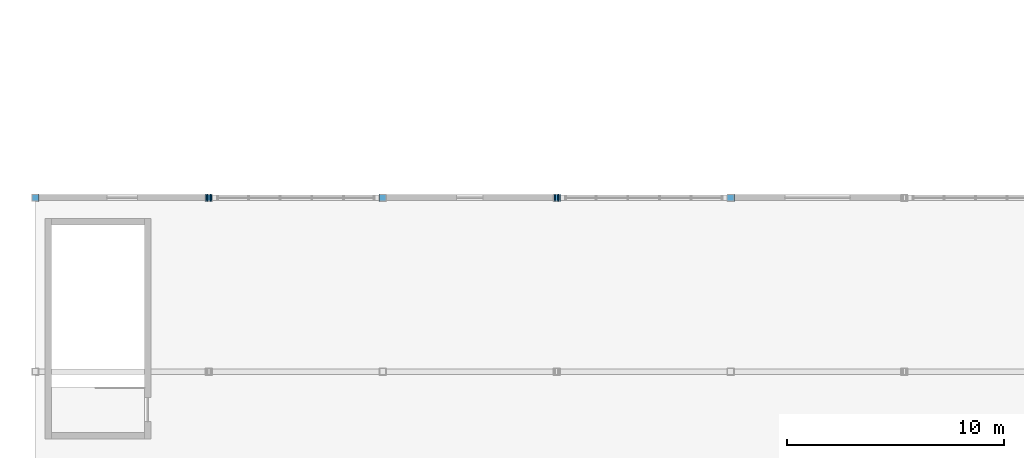
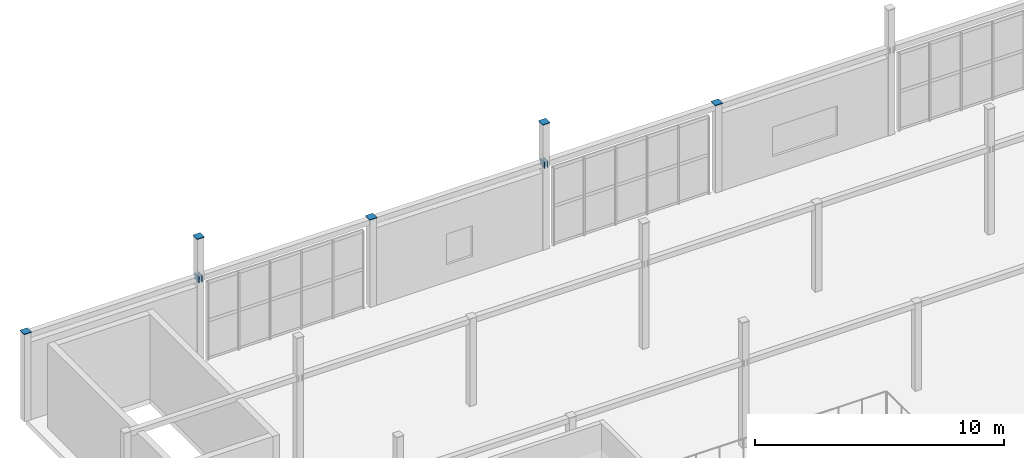
# One storey, part 67 of 83: 9 discrete accessories.
"""IFC4 building model written with IfcOpenShell, lengths in metres."""

from ifc_helpers import new_model, si_unit, direction, frame, origin, origin_2d, place, context, subcontext, project, spatial, rectangle, extrude, material, type_object, element, save


model = new_model("IFC4")

# Units and contexts
model_context = context("Model", 3, precision=1e-05, world=origin(), true_north=direction((0.0, 1.0)))
body_context = subcontext(model_context, "Body", "Model", "MODEL_VIEW")
ifc_project = project(units=[si_unit("LENGTHUNIT", "METRE"), si_unit("AREAUNIT", "SQUARE_METRE"), si_unit("VOLUMEUNIT", "CUBIC_METRE"), si_unit("PLANEANGLEUNIT", "RADIAN"), si_unit("MASSUNIT", "GRAM", prefix="KILO")], contexts=[model_context])

# Site, building, storey
site_placement = place(None, origin())
site = spatial("IfcSite", under=ifc_project, at=site_placement, CompositionType="ELEMENT")
building_placement = place(site_placement, origin())
building = spatial("IfcBuilding", under=site, at=building_placement, Name="Drelvath Fold Interchange", CompositionType="ELEMENT")
storey_placement = place(building_placement, frame((0.0, 0.0, 11.199951171875)))
storey = spatial("IfcBuildingStorey", under=building, at=storey_placement, Name="L02", CompositionType="ELEMENT", Elevation=11.199951171875)

# Discrete accessories
ifc_material = material(Name="Steel ASTM A572 Grade 50", Category="steel")
discrete_accessory_type = type_object("IfcDiscreteAccessoryType", Name="AC-CAP380", PredefinedType="BRACKET", material=ifc_material)
for number, where, z_axis, x_axis, name in (
    (1, (4.0, 99.0, 4.2900390625), (0.0, 0.0, 1.0), (1.0, 0.0, 0.0), "Welded hollow column end cap 39"),
    (2, (12.0, 99.0, 6.14013671875), (0.0, 0.0, 1.0), (1.0, 0.0, 0.0), "Welded hollow column end cap 44"),
    (3, (20.0, 99.0, 4.2900390625), (0.0, 0.0, 1.0), (1.0, 0.0, 0.0), "Welded hollow column end cap 49"),
    (4, (28.0, 99.0, 6.14013671875), (0.0, 0.0, 1.0), (1.0, 0.0, 0.0), "Welded hollow column end cap 54"),
    (5, (36.0, 99.0, 4.2900390625), (0.0, 0.0, 1.0), (1.0, 0.0, 0.0), "Welded hollow column end cap 59"),
):
    element("IfcDiscreteAccessory", number, at=place(storey_placement, frame(where, z_axis=z_axis, x_axis=x_axis)), inside=storey, type_object=discrete_accessory_type, Name=name, PredefinedType="BRACKET", context=body_context, shape_type="SweptSolid", body=[
        extrude(rectangle(XDim=0.344970703125, YDim=0.344970703125, at=origin_2d()), origin(), (0.0, 0.0, 1.0), 0.030029296875),
    ])
for number, where, z_axis, x_axis, name in (
    (6, (11.925048828125, 99.0, 3.9931640625), (0.0, 0.0, 1.0), (1.0, 0.0, 0.0), "Welded hollow member end cap 301"),
    (7, (12.074951171875, 99.0, 3.9931640625), (0.0, 0.0, 1.0), (1.0, 0.0, 0.0), "Welded hollow member end cap 322"),
    (8, (27.925048828125, 99.0, 3.9931640625), (0.0, 0.0, 1.0), (1.0, 0.0, 0.0), "Welded hollow member end cap 346"),
    (9, (28.074951171875, 99.0, 3.9931640625), (0.0, 0.0, 1.0), (1.0, 0.0, 0.0), "Welded hollow member end cap 367"),
):
    element("IfcDiscreteAccessory", number, at=place(storey_placement, frame(where, z_axis=z_axis, x_axis=x_axis)), inside=storey, type_object=discrete_accessory_type, Name=name, PredefinedType="BRACKET", context=body_context, shape_type="SweptSolid", body=[
        extrude(rectangle(XDim=0.0400390625, YDim=0.31396484375, at=origin_2d()), origin(), (0.0, 0.0, 1.0), 0.31396484375),
    ])

save(model, "model.ifc")
